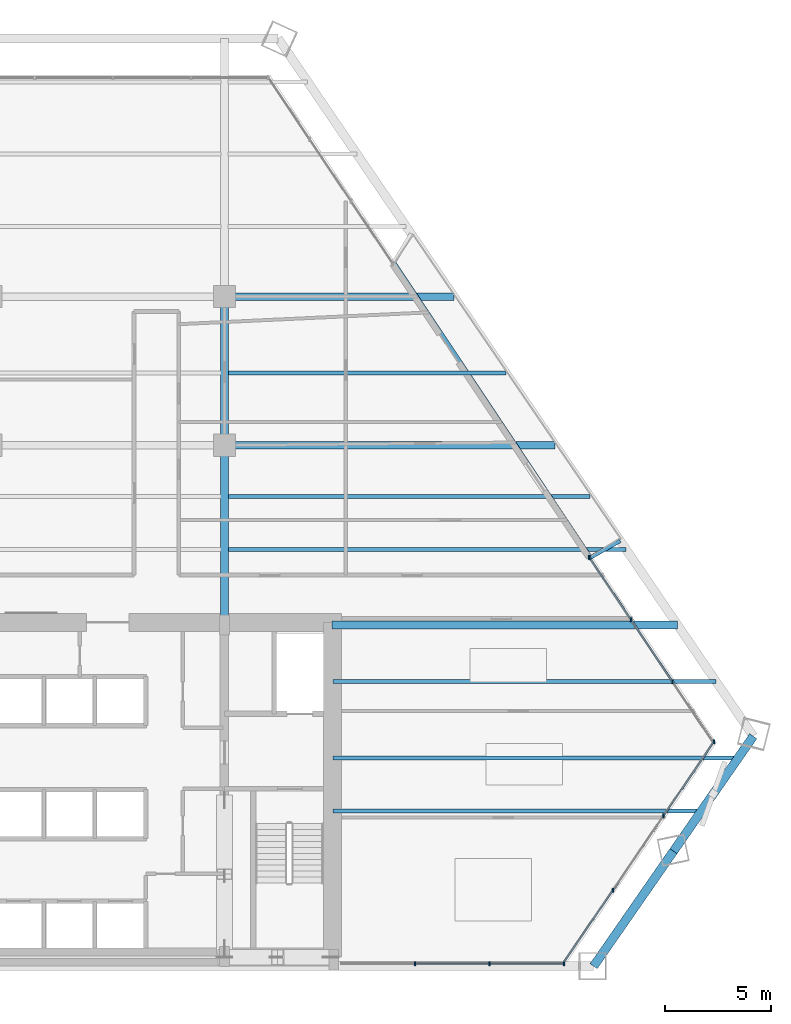
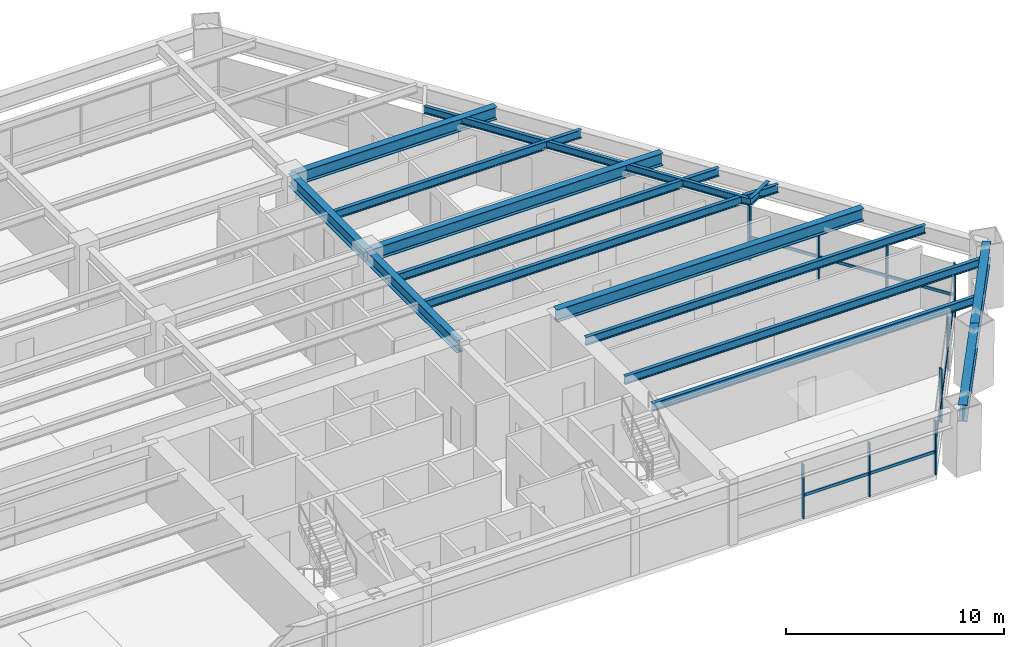
# One storey, part 6 of 14: 18 members, 15 beams, 3 elements without a shape of their own.
"""IFC4 building model written with IfcOpenShell, lengths in metres."""

from ifc_helpers import new_model, si_unit, direction, frame, origin, origin_2d, place, context, subcontext, project, spatial, rectangle, i_section, extrude, source, transform, mapped, material, material_profile, profile_set, type_object, type_shapes, element, aggregate, save


model = new_model("IFC4")

# Units and contexts
model_context = context("Model", 3, precision=1e-05, world=origin(), true_north=direction((0.0, 1.0)))
body_context = subcontext(model_context, "Body", "Model", "MODEL_VIEW")
ifc_project = project(units=[si_unit("LENGTHUNIT", "METRE"), si_unit("AREAUNIT", "SQUARE_METRE"), si_unit("VOLUMEUNIT", "CUBIC_METRE"), si_unit("PLANEANGLEUNIT", "RADIAN"), si_unit("MASSUNIT", "GRAM", prefix="KILO")], contexts=[model_context])

# Site, building, storey
site_placement = place(None, origin())
site = spatial("IfcSite", under=ifc_project, at=site_placement, CompositionType="ELEMENT")
building_placement = place(site_placement, origin())
building = spatial("IfcBuilding", under=site, at=building_placement, Name="Varnakhor Terracotta Tower", CompositionType="ELEMENT")
storey_placement = place(building_placement, frame((0.0, 0.0, 49.699951171875)))
storey = spatial("IfcBuildingStorey", under=building, at=storey_placement, Name="L11", CompositionType="ELEMENT", Elevation=49.699951171875)

# Beams
ifc_material_1 = material(Name="Steel S355", Category="steel")
ifc_material_profile_1 = material_profile(ifc_material_1, i_section(OverallWidth=0.35498046875, OverallDepth=0.695068359375, WebThickness=0.014892578125, FlangeThickness=0.02490234375, FilletRadius=0.01806640625, at=origin_2d()), Name="W27X146")
ifc_profile_set_1 = profile_set([ifc_material_profile_1], Name="Steel S355")
beam_type_1 = type_object("IfcBeamType", Name="BM-W27X146", PredefinedType="BEAM", material=ifc_profile_set_1)
shared_shape_1 = source(origin(), body_context, "Body", "SweptSolid", [
    extrude(i_section(OverallWidth=0.35498046875, OverallDepth=0.695068359375, WebThickness=0.014892578125, FlangeThickness=0.02490234375, FilletRadius=0.01806640625, at=origin_2d()), origin(), (0.0, 0.0, 1.0), 8.449951171875),
])
type_shapes(beam_type_1, [shared_shape_1])
beam_1_placement = place(storey_placement, frame((5.5, 16.050048828125, 3.1025390625), z_axis=(0.0, 1.0, 0.0), x_axis=(-1.0, 0.0, 0.0)))
element("IfcBeam", 1, at=beam_1_placement, inside=storey, type_object=beam_type_1, Name="L11 Primary Girder NS1-E", PredefinedType="BEAM", context=body_context, shape_type="MappedRepresentation", body=[
    mapped(shared_shape_1, transform((0.0, 0.0, 0.0), scale=1.0)),
])
shared_shape_2 = source(origin(), body_context, "Body", "SweptSolid", [
    extrude(i_section(OverallWidth=0.35498046875, OverallDepth=0.695068359375, WebThickness=0.014892578125, FlangeThickness=0.02490234375, FilletRadius=0.01806640625, at=origin_2d()), origin(), (0.0, 0.0, 1.0), 7.0),
])
beam_2_placement = place(storey_placement, frame((5.5, 24.5, 3.1025390625), z_axis=(0.0, 1.0, 0.0), x_axis=(-1.0, 0.0, 0.0)))
element("IfcBeam", 2, at=beam_2_placement, inside=storey, type_object=beam_type_1, Name="L11 Primary Girder NS2-E", PredefinedType="BEAM", context=body_context, shape_type="MappedRepresentation", body=[
    mapped(shared_shape_2, transform((0.0, 0.0, 0.0), scale=1.0)),
])
ifc_material_profile_2 = material_profile(ifc_material_1, i_section(OverallWidth=0.41796875, OverallDepth=0.927001953125, WebThickness=0.01904296875, FlangeThickness=0.031982421875, FilletRadius=0.01806640625, at=origin_2d()), Name="W36X231")
ifc_profile_set_2 = profile_set([ifc_material_profile_2], Name="Steel S355")
beam_type_2 = type_object("IfcBeamType", Name="BM-W36X231", PredefinedType="BEAM", material=ifc_profile_set_2)
shared_shape_3 = source(origin(), body_context, "Body", "SweptSolid", [
    extrude(i_section(OverallWidth=0.41796875, OverallDepth=0.927001953125, WebThickness=0.01904296875, FlangeThickness=0.031982421875, FilletRadius=0.01806640625, at=origin_2d()), origin(), (0.0, 0.0, 1.0), 6.5849609375),
])
for number, where, z_axis, x_axis, name in (
    (3, (22.865478515625, 0.0, 2.986572265625), (0.570292974497, 0.821441369325, 0.0), (-0.821441369325, 0.570292974497, 0.0), "L11 Perimeter Spandrel 2"),
    (4, (26.620849609375, 5.4091796875, 2.986572265625), (0.570267956524, 0.821458737711, 0.0), (-0.821458737711, 0.570267956524, 0.0), "L11 Perimeter Spandrel 3"),
):
    element("IfcBeam", number, at=place(storey_placement, frame(where, z_axis=z_axis, x_axis=x_axis)), inside=storey, type_object=beam_type_2, Name=name, PredefinedType="BEAM", context=body_context, shape_type="MappedRepresentation", body=[
        mapped(shared_shape_3, transform((0.0, 0.0, 0.0), scale=1.0)),
    ])
ifc_material_profile_3 = material_profile(ifc_material_1, i_section(OverallWidth=0.179931640625, OverallDepth=0.39990234375, WebThickness=0.008544921875, FlangeThickness=0.013427734375, FilletRadius=0.01806640625, at=origin_2d()), Name="IPE400")
ifc_profile_set_3 = profile_set([ifc_material_profile_3], Name="Steel S355")
beam_type_3 = type_object("IfcBeamType", Name="JST-IPE400", PredefinedType="JOIST", material=ifc_profile_set_3)
shared_shape_4 = source(origin(), body_context, "Body", "SweptSolid", [
    extrude(i_section(OverallWidth=0.179931640625, OverallDepth=0.39990234375, WebThickness=0.008544921875, FlangeThickness=0.013427734375, FilletRadius=0.01806640625, at=origin_2d()), origin(), (0.0, 0.0, 1.0), 16.682861328125),
])
beam_3_placement = place(storey_placement, frame((22.71875, 19.226806640625, 3.25), z_axis=(-0.554869040565, 0.831937706696, 0.0), x_axis=(-0.831937706696, -0.554869040565, 0.0)))
element("IfcBeam", 5, at=beam_3_placement, inside=storey, type_object=beam_type_3, Name="L11 Loggia Edge Beam 1", PredefinedType="JOIST", context=body_context, shape_type="MappedRepresentation", body=[
    mapped(shared_shape_4, transform((0.0, 0.0, 0.0), scale=1.0)),
])
shared_shape_5 = source(origin(), body_context, "Body", "SweptSolid", [
    extrude(i_section(OverallWidth=0.35498046875, OverallDepth=0.695068359375, WebThickness=0.014892578125, FlangeThickness=0.02490234375, FilletRadius=0.01806640625, at=origin_2d()), origin(), (0.0, 0.0, 1.0), 16.263671875),
])
beam_4_placement = place(storey_placement, frame((10.550048828125, 16.050048828125, 3.1025390625), z_axis=(1.0, 0.0, 0.0), x_axis=(0.0, 1.0, 0.0)))
element("IfcBeam", 6, at=beam_4_placement, inside=storey, type_object=beam_type_1, Name="L11 Wing Girder E", PredefinedType="BEAM", context=body_context, shape_type="MappedRepresentation", body=[
    mapped(shared_shape_5, transform((0.0, 0.0, 0.0), scale=1.0)),
])
shared_shape_6 = source(origin(), body_context, "Body", "SweptSolid", [
    extrude(i_section(OverallWidth=0.35498046875, OverallDepth=0.695068359375, WebThickness=0.014892578125, FlangeThickness=0.02490234375, FilletRadius=0.01806640625, at=origin_2d()), origin(), (0.0, 0.0, 1.0), 15.559814453125),
])
beam_5_placement = place(storey_placement, frame((5.5, 24.5, 3.1025390625), z_axis=(1.0, 0.0, 0.0), x_axis=(0.0, 1.0, 0.0)))
element("IfcBeam", 7, at=beam_5_placement, inside=storey, type_object=beam_type_1, Name="L11 Primary Girder EW2-3", PredefinedType="BEAM", context=body_context, shape_type="MappedRepresentation", body=[
    mapped(shared_shape_6, transform((0.0, 0.0, 0.0), scale=1.0)),
])
shared_shape_7 = source(origin(), body_context, "Body", "SweptSolid", [
    extrude(i_section(OverallWidth=0.35498046875, OverallDepth=0.695068359375, WebThickness=0.014892578125, FlangeThickness=0.02490234375, FilletRadius=0.01806640625, at=origin_2d()), origin(), (0.0, 0.0, 1.0), 10.79345703125),
])
beam_6_placement = place(storey_placement, frame((5.5, 31.5, 3.1025390625), z_axis=(1.0, 0.0, 0.0), x_axis=(0.0, 1.0, 0.0)))
element("IfcBeam", 8, at=beam_6_placement, inside=storey, type_object=beam_type_1, Name="L11 Primary Girder EW3-3", PredefinedType="BEAM", context=body_context, shape_type="MappedRepresentation", body=[
    mapped(shared_shape_7, transform((0.0, 0.0, 0.0), scale=1.0)),
])
ifc_material_profile_4 = material_profile(ifc_material_1, i_section(OverallWidth=0.19189453125, OverallDepth=0.462890625, WebThickness=0.010498046875, FlangeThickness=0.017578125, FilletRadius=0.01806640625, at=origin_2d()), Name="W18X60")
ifc_profile_set_4 = profile_set([ifc_material_profile_4], Name="Steel S355")
beam_type_4 = type_object("IfcBeamType", Name="JST-W18X60", PredefinedType="JOIST", material=ifc_profile_set_4)
shared_shape_8 = source(origin(), body_context, "Body", "SweptSolid", [
    extrude(i_section(OverallWidth=0.19189453125, OverallDepth=0.462890625, WebThickness=0.010498046875, FlangeThickness=0.017578125, FilletRadius=0.01806640625, at=origin_2d()), origin(), (0.0, 0.0, 1.0), 17.333251953125),
])
beam_7_placement = place(storey_placement, frame((10.60009765625, 7.300048828125, 3.218505859375), z_axis=(1.0, 0.0, 0.0), x_axis=(0.0, 1.0, 0.0)))
element("IfcBeam", 9, at=beam_7_placement, inside=storey, type_object=beam_type_4, Name="L11 Floor Joist E1", PredefinedType="JOIST", context=body_context, shape_type="MappedRepresentation", body=[
    mapped(shared_shape_8, transform((0.0, 0.0, 0.0), scale=1.0)),
])
shared_shape_9 = source(origin(), body_context, "Body", "SweptSolid", [
    extrude(i_section(OverallWidth=0.19189453125, OverallDepth=0.462890625, WebThickness=0.010498046875, FlangeThickness=0.017578125, FilletRadius=0.01806640625, at=origin_2d()), origin(), (0.0, 0.0, 1.0), 19.06884765625),
])
beam_8_placement = place(storey_placement, frame((10.60009765625, 9.800048828125, 3.218505859375), z_axis=(1.0, 0.0, 0.0), x_axis=(0.0, 1.0, 0.0)))
element("IfcBeam", 10, at=beam_8_placement, inside=storey, type_object=beam_type_4, Name="L11 Floor Joist E2", PredefinedType="JOIST", context=body_context, shape_type="MappedRepresentation", body=[
    mapped(shared_shape_9, transform((0.0, 0.0, 0.0), scale=1.0)),
])
shared_shape_10 = source(origin(), body_context, "Body", "SweptSolid", [
    extrude(i_section(OverallWidth=0.19189453125, OverallDepth=0.462890625, WebThickness=0.010498046875, FlangeThickness=0.017578125, FilletRadius=0.01806640625, at=origin_2d()), origin(), (0.0, 0.0, 1.0), 18.017822265625),
])
beam_9_placement = place(storey_placement, frame((10.60009765625, 13.39990234375, 3.218505859375), z_axis=(1.0, 0.0, 0.0), x_axis=(0.0, 1.0, 0.0)))
element("IfcBeam", 11, at=beam_9_placement, inside=storey, type_object=beam_type_4, Name="L11 Floor Joist E3", PredefinedType="JOIST", context=body_context, shape_type="MappedRepresentation", body=[
    mapped(shared_shape_10, transform((0.0, 0.0, 0.0), scale=1.0)),
])
shared_shape_11 = source(origin(), body_context, "Body", "SweptSolid", [
    extrude(i_section(OverallWidth=0.19189453125, OverallDepth=0.462890625, WebThickness=0.010498046875, FlangeThickness=0.017578125, FilletRadius=0.01806640625, at=origin_2d()), origin(), (0.0, 0.0, 1.0), 18.72265625),
])
beam_10_placement = place(storey_placement, frame((5.673583984375, 19.60009765625, 3.218505859375), z_axis=(1.0, 0.0, 0.0), x_axis=(0.0, 1.0, 0.0)))
element("IfcBeam", 12, at=beam_10_placement, inside=storey, type_object=beam_type_4, Name="L11 Composite Floor Joist 4-3", PredefinedType="JOIST", context=body_context, shape_type="MappedRepresentation", body=[
    mapped(shared_shape_11, transform((0.0, 0.0, 0.0), scale=1.0)),
])
shared_shape_12 = source(origin(), body_context, "Body", "SweptSolid", [
    extrude(i_section(OverallWidth=0.19189453125, OverallDepth=0.462890625, WebThickness=0.010498046875, FlangeThickness=0.017578125, FilletRadius=0.01806640625, at=origin_2d()), origin(), (0.0, 0.0, 1.0), 17.0205078125),
])
beam_11_placement = place(storey_placement, frame((5.673583984375, 22.10009765625, 3.218505859375), z_axis=(1.0, 0.0, 0.0), x_axis=(0.0, 1.0, 0.0)))
element("IfcBeam", 13, at=beam_11_placement, inside=storey, type_object=beam_type_4, Name="L11 Composite Floor Joist 5-3", PredefinedType="JOIST", context=body_context, shape_type="MappedRepresentation", body=[
    mapped(shared_shape_12, transform((0.0, 0.0, 0.0), scale=1.0)),
])
shared_shape_13 = source(origin(), body_context, "Body", "SweptSolid", [
    extrude(i_section(OverallWidth=0.19189453125, OverallDepth=0.462890625, WebThickness=0.010498046875, FlangeThickness=0.017578125, FilletRadius=0.01806640625, at=origin_2d()), origin(), (0.0, 0.0, 1.0), 13.071044921875),
])
beam_12_placement = place(storey_placement, frame((5.673583984375, 27.89990234375, 3.218505859375), z_axis=(1.0, 0.0, 0.0), x_axis=(0.0, 1.0, 0.0)))
element("IfcBeam", 14, at=beam_12_placement, inside=storey, type_object=beam_type_4, Name="L11 Composite Floor Joist 6-3", PredefinedType="JOIST", context=body_context, shape_type="MappedRepresentation", body=[
    mapped(shared_shape_13, transform((0.0, 0.0, 0.0), scale=1.0)),
])

# Curtain wall, members
ifc_material_2 = material(Name="Anodised Aluminium Curtain Wall System", Category="aluminium")
curtain_wall_type = type_object("IfcCurtainWallType", Name="CW-SYS-LOW-OFFICE", PredefinedType="NOTDEFINED", material=ifc_material_2)
curtain_wall_1_placement = place(storey_placement, origin())
curtain_wall_1 = element("IfcCurtainWall", 15, at=curtain_wall_1_placement, inside=storey, type_object=curtain_wall_type, Name="L11 E Facet Curtain Wall 2", PredefinedType="NOTDEFINED")
ifc_material_3 = material(Name="Anodised Aluminium 6063-T6", Category="aluminium")
ifc_material_profile_5 = material_profile(ifc_material_3, rectangle(XDim=0.074951171875, YDim=0.18505859375, at=origin_2d()), Name="ALU MULLION 75x185")
ifc_profile_set_5 = profile_set([ifc_material_profile_5], Name="Anodised Aluminium 6063-T6")
member_type_1 = type_object("IfcMemberType", Name="CWM-02", PredefinedType="MULLION", material=ifc_profile_set_5)
shared_shape_14 = source(origin(), body_context, "Body", "SweptSolid", [
    extrude(rectangle(XDim=0.074951171875, YDim=0.18505859375, at=origin_2d()), origin(), (0.0, 0.0, 1.0), 3.030029296875),
])
type_shapes(member_type_1, [shared_shape_14])
member_1_placement = place(storey_placement, frame((22.679931640625, 19.212890625, 0.0), z_axis=(0.0, 0.0, 1.0), x_axis=(1.0, 0.0, 0.0)))
member_1 = element("IfcMember", 16, at=member_1_placement, type_object=member_type_1, Name="L11 E Facet Curtain Wall 2 Mullion 1", PredefinedType="MULLION", context=body_context, shape_type="MappedRepresentation", body=[
    mapped(shared_shape_14, transform((0.0, 0.0, 0.0), scale=1.0)),
])
member_2_placement = place(storey_placement, frame((24.62939453125, 16.299072265625, 0.0), z_axis=(0.0, 0.0, 1.0), x_axis=(1.0, 0.0, 0.0)))
member_2 = element("IfcMember", 17, at=member_2_placement, type_object=member_type_1, Name="L11 E Facet Curtain Wall 2 Mullion 2", PredefinedType="MULLION", context=body_context, shape_type="MappedRepresentation", body=[
    mapped(shared_shape_14, transform((0.0, 0.0, 0.0), scale=1.0)),
])
member_3_placement = place(storey_placement, frame((26.578857421875, 13.385498046875, 0.0), z_axis=(0.0, 0.0, 1.0), x_axis=(1.0, 0.0, 0.0)))
member_3 = element("IfcMember", 18, at=member_3_placement, type_object=member_type_1, Name="L11 E Facet Curtain Wall 2 Mullion 3", PredefinedType="MULLION", context=body_context, shape_type="MappedRepresentation", body=[
    mapped(shared_shape_14, transform((0.0, 0.0, 0.0), scale=1.0)),
])
member_4_placement = place(storey_placement, frame((22.646484375, 19.2265625, 0.0), z_axis=(0.0, 0.0, 1.0), x_axis=(1.0, 0.0, 0.0)))
member_4 = element("IfcMember", 19, at=member_4_placement, type_object=member_type_1, Name="L11 E Loggia Jamb Closure Mullion 2", PredefinedType="MULLION", context=body_context, shape_type="MappedRepresentation", body=[
    mapped(shared_shape_14, transform((0.0, 0.0, 0.0), scale=1.0)),
])

curtain_wall_2_placement = place(storey_placement, origin())
curtain_wall_2 = element("IfcCurtainWall", 20, at=curtain_wall_2_placement, inside=storey, type_object=curtain_wall_type, Name="L11 Facet Curtain Wall 4", PredefinedType="NOTDEFINED")
member_5_placement = place(storey_placement, frame((28.52880859375, 10.556396484375, 0.0), z_axis=(0.0, 0.0, 1.0), x_axis=(1.0, 0.0, 0.0)))
member_5 = element("IfcMember", 21, at=member_5_placement, type_object=member_type_1, Name="L11 Facet Curtain Wall 4 Mullion 1", PredefinedType="MULLION", context=body_context, shape_type="MappedRepresentation", body=[
    mapped(shared_shape_14, transform((0.0, 0.0, 0.0), scale=1.0)),
])
member_6_placement = place(storey_placement, frame((26.153076171875, 7.068359375, 0.0), z_axis=(0.0, 0.0, 1.0), x_axis=(1.0, 0.0, 0.0)))
member_6 = element("IfcMember", 22, at=member_6_placement, type_object=member_type_1, Name="L11 Facet Curtain Wall 4 Mullion 2", PredefinedType="MULLION", context=body_context, shape_type="MappedRepresentation", body=[
    mapped(shared_shape_14, transform((0.0, 0.0, 0.0), scale=1.0)),
])
member_7_placement = place(storey_placement, frame((23.77734375, 3.580322265625, 0.0), z_axis=(0.0, 0.0, 1.0), x_axis=(1.0, 0.0, 0.0)))
member_7 = element("IfcMember", 23, at=member_7_placement, type_object=member_type_1, Name="L11 Facet Curtain Wall 4 Mullion 3", PredefinedType="MULLION", context=body_context, shape_type="MappedRepresentation", body=[
    mapped(shared_shape_14, transform((0.0, 0.0, 0.0), scale=1.0)),
])

curtain_wall_3_placement = place(storey_placement, origin())
curtain_wall_3 = element("IfcCurtainWall", 24, at=curtain_wall_3_placement, inside=storey, type_object=curtain_wall_type, Name="L11 South Wing Curtain Wall SSE", PredefinedType="NOTDEFINED")
member_8_placement = place(storey_placement, frame((21.47412109375, 0.1201171875, 0.0), z_axis=(0.0, 0.0, 1.0), x_axis=(1.0, 0.0, 0.0)))
member_8 = element("IfcMember", 25, at=member_8_placement, type_object=member_type_1, Name="L11 South Wing Curtain Wall SSE Mullion 1", PredefinedType="MULLION", context=body_context, shape_type="MappedRepresentation", body=[
    mapped(shared_shape_14, transform((0.0, 0.0, 0.0), scale=1.0)),
])
member_9_placement = place(storey_placement, frame((17.97265625, 0.1201171875, 0.0), z_axis=(0.0, 0.0, 1.0), x_axis=(1.0, 0.0, 0.0)))
member_9 = element("IfcMember", 26, at=member_9_placement, type_object=member_type_1, Name="L11 South Wing Curtain Wall SSE Mullion 2", PredefinedType="MULLION", context=body_context, shape_type="MappedRepresentation", body=[
    mapped(shared_shape_14, transform((0.0, 0.0, 0.0), scale=1.0)),
])
member_10_placement = place(storey_placement, frame((14.47119140625, 0.1201171875, 0.0), z_axis=(0.0, 0.0, 1.0), x_axis=(1.0, 0.0, 0.0)))
member_10 = element("IfcMember", 27, at=member_10_placement, type_object=member_type_1, Name="L11 South Wing Curtain Wall SSE Mullion 3", PredefinedType="MULLION", context=body_context, shape_type="MappedRepresentation", body=[
    mapped(shared_shape_14, transform((0.0, 0.0, 0.0), scale=1.0)),
])

# Member
ifc_material_profile_6 = material_profile(ifc_material_3, rectangle(XDim=0.074951171875, YDim=0.1650390625, at=origin_2d()), Name="ALU TRANSOM 75x165")
ifc_profile_set_6 = profile_set([ifc_material_profile_6], Name="Anodised Aluminium 6063-T6")
member_type_2 = type_object("IfcMemberType", Name="CWT-02", PredefinedType="USERDEFINED", material=ifc_profile_set_6)
shared_shape_15 = source(origin(), body_context, "Body", "SweptSolid", [
    extrude(rectangle(XDim=0.074951171875, YDim=0.1650390625, at=origin_2d()), origin(), (0.0, 0.0, 1.0), 3.505859375),
])
member_11_placement = place(storey_placement, frame((22.679931640625, 19.212890625, 1.272705078125), z_axis=(0.556065439618, -0.831138512441, 0.0), x_axis=(0.831138512441, 0.556065439618, 0.0)))
member_11 = element("IfcMember", 28, at=member_11_placement, type_object=member_type_2, Name="L11 E Facet Curtain Wall 2 Transom 1", ObjectType="TRANSOM", PredefinedType="USERDEFINED", context=body_context, shape_type="MappedRepresentation", body=[
    mapped(shared_shape_15, transform((0.0, 0.0, 0.0), scale=1.0)),
])

member_12_placement = place(storey_placement, frame((26.578857421875, 13.385498046875, 1.272705078125), z_axis=(0.556065439618, -0.831138512441, 0.0), x_axis=(0.831138512441, 0.556065439618, 0.0)))
member_12 = element("IfcMember", 29, at=member_12_placement, type_object=member_type_2, Name="L11 E Facet Curtain Wall 2 Transom 3", ObjectType="TRANSOM", PredefinedType="USERDEFINED", context=body_context, shape_type="MappedRepresentation", body=[
    mapped(shared_shape_15, transform((0.0, 0.0, 0.0), scale=1.0)),
])

shared_shape_16 = source(origin(), body_context, "Body", "SweptSolid", [
    extrude(rectangle(XDim=0.074951171875, YDim=0.1650390625, at=origin_2d()), origin(), (0.0, 0.0, 1.0), 3.505615234375),
])
member_13_placement = place(storey_placement, frame((24.62939453125, 16.299072265625, 1.272705078125), z_axis=(0.556097625825, -0.831116977658, 0.0), x_axis=(0.831116977658, 0.556097625825, 0.0)))
member_13 = element("IfcMember", 30, at=member_13_placement, type_object=member_type_2, Name="L11 E Facet Curtain Wall 2 Transom 2", ObjectType="TRANSOM", PredefinedType="USERDEFINED", context=body_context, shape_type="MappedRepresentation", body=[
    mapped(shared_shape_16, transform((0.0, 0.0, 0.0), scale=1.0)),
])

aggregate(curtain_wall_1, [member_1, member_11, member_2, member_13, member_3, member_12, member_4])

shared_shape_17 = source(origin(), body_context, "Body", "SweptSolid", [
    extrude(rectangle(XDim=0.074951171875, YDim=0.1650390625, at=origin_2d()), origin(), (0.0, 0.0, 1.0), 4.22021484375),
])
member_14_placement = place(storey_placement, frame((28.52880859375, 10.556396484375, 1.272705078125), z_axis=(-0.562936460715, -0.826500176163, 0.0), x_axis=(0.826500176163, -0.562936460715, 0.0)))
member_14 = element("IfcMember", 31, at=member_14_placement, type_object=member_type_2, Name="L11 Facet Curtain Wall 4 Transom 1", ObjectType="TRANSOM", PredefinedType="USERDEFINED", context=body_context, shape_type="MappedRepresentation", body=[
    mapped(shared_shape_17, transform((0.0, 0.0, 0.0), scale=1.0)),
])

member_15_placement = place(storey_placement, frame((26.153076171875, 7.068359375, 1.272705078125), z_axis=(-0.562936460715, -0.826500176163, 0.0), x_axis=(0.826500176163, -0.562936460715, 0.0)))
member_15 = element("IfcMember", 32, at=member_15_placement, type_object=member_type_2, Name="L11 Facet Curtain Wall 4 Transom 2", ObjectType="TRANSOM", PredefinedType="USERDEFINED", context=body_context, shape_type="MappedRepresentation", body=[
    mapped(shared_shape_17, transform((0.0, 0.0, 0.0), scale=1.0)),
])

member_16_placement = place(storey_placement, frame((23.77734375, 3.580322265625, 1.272705078125), z_axis=(-0.562936460715, -0.826500176163, 0.0), x_axis=(0.826500176163, -0.562936460715, 0.0)))
member_16 = element("IfcMember", 33, at=member_16_placement, type_object=member_type_2, Name="L11 Facet Curtain Wall 4 Transom 3", ObjectType="TRANSOM", PredefinedType="USERDEFINED", context=body_context, shape_type="MappedRepresentation", body=[
    mapped(shared_shape_17, transform((0.0, 0.0, 0.0), scale=1.0)),
])

aggregate(curtain_wall_2, [member_5, member_14, member_6, member_15, member_7, member_16])

shared_shape_18 = source(origin(), body_context, "Body", "SweptSolid", [
    extrude(rectangle(XDim=0.074951171875, YDim=0.1650390625, at=origin_2d()), origin(), (0.0, 0.0, 1.0), 3.50146484375),
])
member_17_placement = place(storey_placement, frame((21.47412109375, 0.1201171875, 1.272705078125), z_axis=(-1.0, 0.0, 0.0), x_axis=(0.0, -1.0, 0.0)))
member_17 = element("IfcMember", 34, at=member_17_placement, type_object=member_type_2, Name="L11 South Wing Curtain Wall SSE Transom 1", ObjectType="TRANSOM", PredefinedType="USERDEFINED", context=body_context, shape_type="MappedRepresentation", body=[
    mapped(shared_shape_18, transform((0.0, 0.0, 0.0), scale=1.0)),
])

member_18_placement = place(storey_placement, frame((17.97265625, 0.1201171875, 1.272705078125), z_axis=(-1.0, 0.0, 0.0), x_axis=(0.0, -1.0, 0.0)))
member_18 = element("IfcMember", 35, at=member_18_placement, type_object=member_type_2, Name="L11 South Wing Curtain Wall SSE Transom 2", ObjectType="TRANSOM", PredefinedType="USERDEFINED", context=body_context, shape_type="MappedRepresentation", body=[
    mapped(shared_shape_18, transform((0.0, 0.0, 0.0), scale=1.0)),
])

aggregate(curtain_wall_3, [member_8, member_17, member_9, member_18, member_10])

# Beam
shared_shape_19 = source(origin(), body_context, "Body", "SweptSolid", [
    extrude(i_section(OverallWidth=0.179931640625, OverallDepth=0.39990234375, WebThickness=0.008544921875, FlangeThickness=0.013427734375, FilletRadius=0.01806640625, at=origin_2d()), origin(), (0.0, 0.0, 1.0), 1.6025390625),
])
beam_13_placement = place(storey_placement, frame((22.71875, 19.226806640625, 3.25), z_axis=(0.872282521668, 0.48900225193, 0.0), x_axis=(-0.48900225193, 0.872282521668, 0.0)))
element("IfcBeam", 36, at=beam_13_placement, inside=storey, type_object=beam_type_3, Name="L12 E Loggia Tie Beam 2", PredefinedType="JOIST", context=body_context, shape_type="MappedRepresentation", body=[
    mapped(shared_shape_19, transform((0.0, 0.0, 0.0), scale=1.0)),
])

save(model, "model.ifc")
